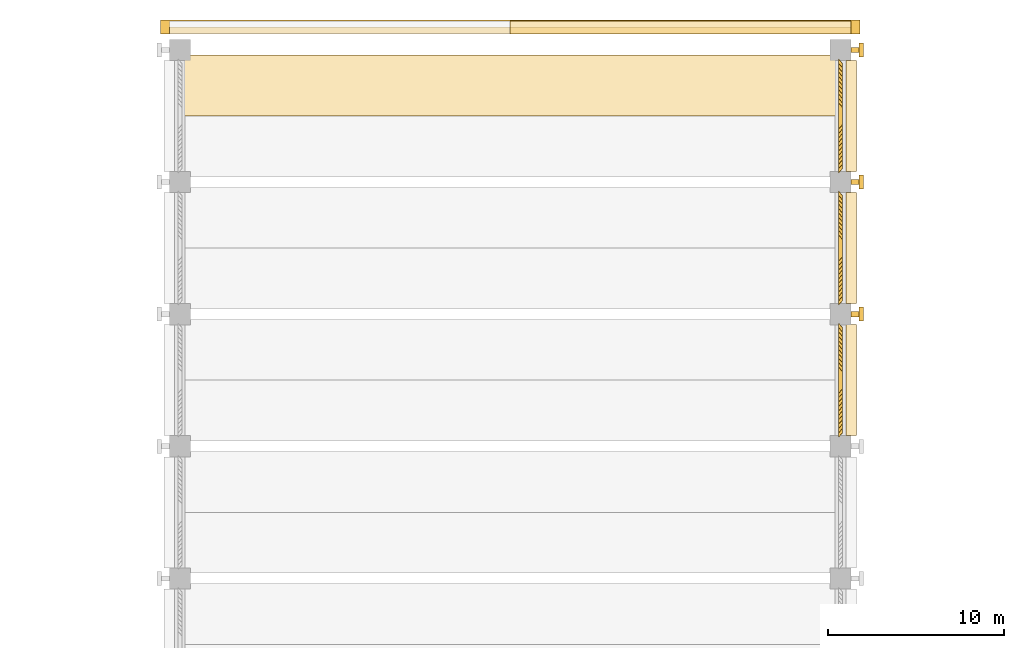
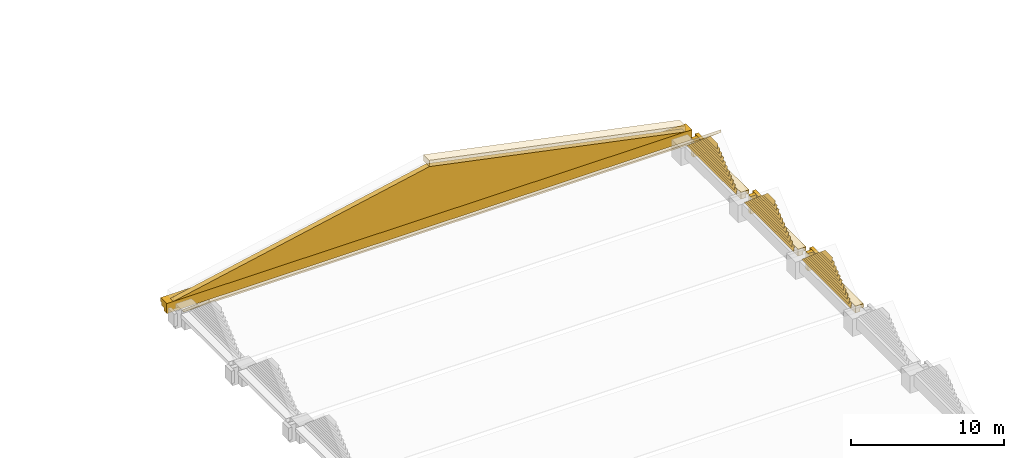
# One storey, part 57 of 71: 33 shading devices, 13 coverings, 1 element without a shape of its own.
"""IFC4 building model written with IfcOpenShell, lengths in metres."""

from ifc_helpers import new_model, si_unit, direction, frame, origin, place, context, subcontext, project, spatial, polyline, outline, extrude, material, layer, layer_set, material_profile, profile_set, type_object, element, aggregate, save


model = new_model("IFC4")

# Units and contexts
model_context = context("Model", 3, precision=1e-05, world=origin(), true_north=direction((0.0, 1.0)))
body_context = subcontext(model_context, "Body", "Model", "MODEL_VIEW")
ifc_project = project(units=[si_unit("LENGTHUNIT", "METRE"), si_unit("AREAUNIT", "SQUARE_METRE"), si_unit("VOLUMEUNIT", "CUBIC_METRE"), si_unit("PLANEANGLEUNIT", "RADIAN"), si_unit("MASSUNIT", "GRAM", prefix="KILO")], contexts=[model_context])

# Site, building, storey
site_placement = place(None, origin())
site = spatial("IfcSite", under=ifc_project, at=site_placement, CompositionType="ELEMENT")
building_placement = place(site_placement, origin())
building = spatial("IfcBuilding", under=site, at=building_placement, Name="Cour d'Honneur Mobility Palace", CompositionType="ELEMENT")
storey_placement = place(building_placement, frame((0.0, 0.0, 15.60009765625)))
storey = spatial("IfcBuildingStorey", under=building, at=storey_placement, Name="L04", CompositionType="ELEMENT", Elevation=15.60009765625)

# Roof, covering
ifc_material_1 = material(Name="Concrete C50", Category="concrete")
ifc_layer_1 = layer(ifc_material_1, 0.179931640625)
ifc_layer_set_1 = layer_set([ifc_layer_1], Name="Concrete C50")
roof_type = type_object("IfcRoofType", Name="Folded plate roof", PredefinedType="FREEFORM", material=ifc_layer_set_1)
roof_placement = place(storey_placement, origin())
roof = element("IfcRoof", 1, at=roof_placement, inside=storey, type_object=roof_type, Name="Folded unit FU7", PredefinedType="FREEFORM")
ifc_material_2 = material(Name="Concrete C50", Category="concrete")
ifc_material_profile = material_profile(ifc_material_2, outline(polyline([(3.449951171875, 0.0), (3.25, 0.0), (0.0, 2.763671875), (0.0, 3.0), (3.449951171875, 0.066162109375), (3.449951171875, 0.0)])), Name="Folded roof plate 7500 mm bay falling")
ifc_profile_set = profile_set([ifc_material_profile], Name="Concrete C50")
covering_type_1 = type_object("IfcCoveringType", Name="Folded roof plate 7500 mm bay falling", PredefinedType="ROOFING", material=ifc_profile_set)
covering_1_placement = place(storey_placement, frame((61.800048828125, 111.14990234375, 1.39990234375), z_axis=(1.0, 0.0, 0.0), x_axis=(0.0, 1.0, 0.0)))
covering_1 = element("IfcCovering", 2, at=covering_1_placement, type_object=covering_type_1, Name="Folded roof plate FP14", PredefinedType="ROOFING", context=body_context, shape_type="SweptSolid", body=[
    extrude(outline(polyline([(3.449951171875, 0.0), (3.25, 0.0), (0.0, 2.763671875), (0.0, 3.0), (3.449951171875, 0.066162109375), (3.449951171875, 0.0)])), origin(), (0.0, 0.0, 1.0), 38.699951171875),
])
aggregate(roof, [covering_1])

# Coverings
ifc_material_3 = material(Name="Cast limestone", Category="masonry")
ifc_layer_2 = layer(ifc_material_3, 0.39990234375)
ifc_layer_set_2 = layer_set([ifc_layer_2], Name="Cast limestone")
covering_type_2 = type_object("IfcCoveringType", Name="Hall eave cornice", PredefinedType="CLADDING", material=ifc_layer_set_2)
for number, where, z_axis, x_axis, name in (
    (3, (100.199951171875, 93.0, 0.849853515625), (0.0, -1.0, 0.0), (1.0, 0.0, 0.0), "Hall eave cornice EB-E5"),
    (4, (100.199951171875, 100.5, 0.849853515625), (0.0, -1.0, 0.0), (1.0, 0.0, 0.0), "Hall eave cornice EB-E6"),
    (5, (100.199951171875, 108.0, 0.849853515625), (0.0, -1.0, 0.0), (1.0, 0.0, 0.0), "Hall eave cornice EB-E7"),
):
    element("IfcCovering", number, at=place(storey_placement, frame(where, z_axis=z_axis, x_axis=x_axis)), inside=storey, type_object=covering_type_2, Name=name, PredefinedType="CLADDING", context=body_context, shape_type="SweptSolid", body=[
        extrude(outline(polyline([(0.0, 0.0), (0.35009765625, 0.0), (0.35009765625, 0.25), (0.60009765625, 0.25), (0.60009765625, 0.550048828125), (0.0, 0.550048828125), (0.0, 0.0)])), origin(), (0.0, 0.0, -1.0), 6.300048828125),
    ])
ifc_material_4 = material(Name="Cast limestone", Category="masonry")
ifc_layer_3 = layer(ifc_material_4, 0.39990234375)
ifc_layer_set_3 = layer_set([ifc_layer_3], Name="Cast limestone")
covering_type_3 = type_object("IfcCoveringType", Name="Pediment raking cornice", PredefinedType="CLADDING", material=ifc_layer_set_3)
covering_2_placement = place(storey_placement, frame((100.5, 116.550048828125, 1.39990234375), z_axis=(0.0, 1.0, 0.0), x_axis=(-0.979295232307, 0.0, 0.202437269249)))
element("IfcCovering", 6, at=covering_2_placement, inside=storey, type_object=covering_type_3, Name="Pediment raking cornice E", PredefinedType="CLADDING", context=body_context, shape_type="SweptSolid", body=[
    extrude(outline(polyline([(0.0, 0.0), (19.759207456434375, 0.0), (19.86042609105875, 0.4896476161534724), (0.10121863462437213, 0.489647616153472), (0.0, 0.0)])), origin(), (0.0, 0.0, -1.0), 0.75),
])
ifc_material_5 = material(Name="Cast limestone", Category="masonry")
ifc_layer_4 = layer(ifc_material_5, 0.39990234375)
ifc_layer_set_4 = layer_set([ifc_layer_4], Name="Cast limestone")
covering_type_4 = type_object("IfcCoveringType", Name="Pediment tympanum", PredefinedType="CLADDING", material=ifc_layer_set_4)
covering_3_placement = place(storey_placement, frame((61.800048828125, 116.199951171875, 1.39990234375), z_axis=(0.0, 1.0, 0.0), x_axis=(0.979294725947, 0.0, 0.202439718762)))
element("IfcCovering", 7, at=covering_3_placement, inside=storey, type_object=covering_type_4, Name="Pediment tympanum", PredefinedType="CLADDING", context=body_context, shape_type="SweptSolid", body=[
    extrude(outline(polyline([(0.0, 0.0), (19.758968370746107, 0.0), (37.898658077023114, 7.83440723133536), (0.0, 0.0)])), origin(), (0.0, 0.0, -1.0), 0.39990234375),
])
ifc_material_6 = material(Name="Cast limestone", Category="masonry")
ifc_layer_5 = layer(ifc_material_6, 0.300048828125)
ifc_layer_set_5 = layer_set([ifc_layer_5], Name="Cast limestone")
covering_type_5 = type_object("IfcCoveringType", Name="Pier fin", PredefinedType="CLADDING", material=ifc_layer_set_5)
covering_4_placement = place(storey_placement, origin())
element("IfcCovering", 8, at=covering_4_placement, inside=storey, type_object=covering_type_5, Name="Pier fin HP-E6 L04", PredefinedType="CLADDING", context=body_context, shape_type="SweptSolid", body=[
    extrude(outline(polyline([(100.5, 99.75), (100.949951171875, 99.75), (100.949951171875, 100.050048828125), (100.5, 100.050048828125), (100.5, 99.75)])), origin(), (0.0, 0.0, 1.0), 1.39990234375),
])
covering_5_placement = place(storey_placement, origin())
element("IfcCovering", 9, at=covering_5_placement, inside=storey, type_object=covering_type_5, Name="Pier fin HP-E7 L04", PredefinedType="CLADDING", context=body_context, shape_type="SweptSolid", body=[
    extrude(outline(polyline([(100.5, 107.25), (100.949951171875, 107.25), (100.949951171875, 107.550048828125), (100.5, 107.550048828125), (100.5, 107.25)])), origin(), (0.0, 0.0, 1.0), 1.39990234375),
])
covering_6_placement = place(storey_placement, origin())
element("IfcCovering", 10, at=covering_6_placement, inside=storey, type_object=covering_type_5, Name="Pier fin HP-E8 L04", PredefinedType="CLADDING", context=body_context, shape_type="SweptSolid", body=[
    extrude(outline(polyline([(100.5, 114.75), (100.949951171875, 114.75), (100.949951171875, 115.050048828125), (100.5, 115.050048828125), (100.5, 114.75)])), origin(), (0.0, 0.0, 1.0), 1.39990234375),
])
ifc_material_7 = material(Name="Cast limestone", Category="masonry")
ifc_layer_6 = layer(ifc_material_7, 0.1201171875)
ifc_layer_set_6 = layer_set([ifc_layer_6], Name="Cast limestone")
covering_type_6 = type_object("IfcCoveringType", Name="Pilaster capital", PredefinedType="CLADDING", material=ifc_layer_set_6)
covering_7_placement = place(storey_placement, frame((0.0, 0.0, 0.39990234375)))
element("IfcCovering", 11, at=covering_7_placement, inside=storey, type_object=covering_type_6, Name="Hall pilaster capital HP-E6", PredefinedType="CLADDING", context=body_context, shape_type="SweptSolid", body=[
    extrude(outline(polyline([(100.949951171875, 99.5), (101.199951171875, 99.5), (101.199951171875, 100.300048828125), (100.949951171875, 100.300048828125), (100.949951171875, 99.5)])), origin(), (0.0, 0.0, 1.0), 1.0),
])
covering_8_placement = place(storey_placement, frame((0.0, 0.0, 0.39990234375)))
element("IfcCovering", 12, at=covering_8_placement, inside=storey, type_object=covering_type_6, Name="Hall pilaster capital HP-E7", PredefinedType="CLADDING", context=body_context, shape_type="SweptSolid", body=[
    extrude(outline(polyline([(100.949951171875, 107.0), (101.199951171875, 107.0), (101.199951171875, 107.800048828125), (100.949951171875, 107.800048828125), (100.949951171875, 107.0)])), origin(), (0.0, 0.0, 1.0), 1.0),
])
covering_9_placement = place(storey_placement, frame((0.0, 0.0, 0.39990234375)))
element("IfcCovering", 13, at=covering_9_placement, inside=storey, type_object=covering_type_6, Name="Hall pilaster capital HP-E8", PredefinedType="CLADDING", context=body_context, shape_type="SweptSolid", body=[
    extrude(outline(polyline([(100.949951171875, 114.5), (101.199951171875, 114.5), (101.199951171875, 115.300048828125), (100.949951171875, 115.300048828125), (100.949951171875, 114.5)])), origin(), (0.0, 0.0, 1.0), 1.0),
])
ifc_material_8 = material(Name="Cast limestone", Category="masonry")
ifc_layer_7 = layer(ifc_material_8, 0.39990234375)
ifc_layer_set_7 = layer_set([ifc_layer_7], Name="Cast limestone")
covering_type_7 = type_object("IfcCoveringType", Name="Portal cornice", PredefinedType="CLADDING", material=ifc_layer_set_7)
covering_10_placement = place(storey_placement, frame((61.300048828125, 115.800048828125, 1.39990234375), z_axis=(-1.0, 0.0, 0.0), x_axis=(0.0, 1.0, 0.0)))
element("IfcCovering", 14, at=covering_10_placement, inside=storey, type_object=covering_type_7, Name="Portal cornice", PredefinedType="CLADDING", context=body_context, shape_type="SweptSolid", body=[
    extrude(outline(polyline([(0.0, 0.0), (0.800048828125, 0.0), (0.800048828125, 0.300048828125), (0.64990234375, 0.300048828125), (0.64990234375, 0.550048828125), (0.349853515625, 0.550048828125), (0.349853515625, 0.800048828125), (0.0, 0.800048828125), (0.0, 0.0)])), origin(), (0.0, 0.0, -1.0), 39.699951171875),
])

# Shading devices
ifc_material_9 = material(Name="Terracotta", Category="masonry")
ifc_layer_8 = layer(ifc_material_9, 0.02490234375)
ifc_layer_set_8 = layer_set([ifc_layer_8], Name="Terracotta")
shading_device_type = type_object("IfcShadingDeviceType", Name="Terracotta louvre blade", PredefinedType="JALOUSIE", material=ifc_layer_set_8)
shading_device_1_placement = place(storey_placement, frame((99.7939453125, 92.9208984375, 1.41748046875), z_axis=(-0.707106781187, 0.0, 0.707106781187), x_axis=(0.0, 1.0, 0.0)))
element("IfcShadingDevice", 15, at=shading_device_1_placement, inside=storey, type_object=shading_device_type, Name="Gable louvre blade LV-3 E5 1", PredefinedType="JALOUSIE", context=body_context, shape_type="SweptSolid", body=[
    extrude(outline(polyline([(0.0, 0.0), (6.458251953125, 0.0), (6.208984375, -0.300037008228081), (0.249267578125, -0.300037008228081), (0.0, 0.0)])), origin(), (0.0, 0.0, -1.0), 0.02490234375),
])
shading_device_2_placement = place(storey_placement, frame((99.7939453125, 93.170166015625, 1.629638671875), z_axis=(-0.707106781187, 0.0, 0.707106781187), x_axis=(0.0, 1.0, 0.0)))
element("IfcShadingDevice", 16, at=shading_device_2_placement, inside=storey, type_object=shading_device_type, Name="Gable louvre blade LV-3 E5 2", PredefinedType="JALOUSIE", context=body_context, shape_type="SweptSolid", body=[
    extrude(outline(polyline([(0.0, 0.0), (5.959716796875, 0.0), (5.710205078125, -0.30003700822808094), (0.24951171875, -0.30003700822808094), (0.0, 0.0)])), origin(), (0.0, 0.0, -1.0), 0.02490234375),
])
shading_device_3_placement = place(storey_placement, frame((99.7939453125, 93.419677734375, 1.841796875), z_axis=(-0.707106781187, 0.0, 0.707106781187), x_axis=(0.0, 1.0, 0.0)))
element("IfcShadingDevice", 17, at=shading_device_3_placement, inside=storey, type_object=shading_device_type, Name="Gable louvre blade LV-3 E5 3", PredefinedType="JALOUSIE", context=body_context, shape_type="SweptSolid", body=[
    extrude(outline(polyline([(0.0, 0.0), (5.460693359375, 0.0), (5.211181640625, -0.300037008228081), (0.24951171875, -0.300037008228081), (0.0, 0.0)])), origin(), (0.0, 0.0, -1.0), 0.02490234375),
])
shading_device_4_placement = place(storey_placement, frame((99.7939453125, 93.669189453125, 2.053955078125), z_axis=(-0.707106781187, 0.0, 0.707106781187), x_axis=(0.0, 1.0, 0.0)))
element("IfcShadingDevice", 18, at=shading_device_4_placement, inside=storey, type_object=shading_device_type, Name="Gable louvre blade LV-3 E5 4", PredefinedType="JALOUSIE", context=body_context, shape_type="SweptSolid", body=[
    extrude(outline(polyline([(0.0, 0.0), (4.961669921875, 0.0), (4.712158203125, -0.300037008228081), (0.24951171875, -0.300037008228081), (0.0, 0.0)])), origin(), (0.0, 0.0, -1.0), 0.02490234375),
])
shading_device_5_placement = place(storey_placement, frame((99.7939453125, 93.918701171875, 2.26611328125), z_axis=(-0.707106781187, 0.0, 0.707106781187), x_axis=(0.0, 1.0, 0.0)))
element("IfcShadingDevice", 19, at=shading_device_5_placement, inside=storey, type_object=shading_device_type, Name="Gable louvre blade LV-3 E5 5", PredefinedType="JALOUSIE", context=body_context, shape_type="SweptSolid", body=[
    extrude(outline(polyline([(0.0, 0.0), (4.462646484375, 0.0), (4.213134765625, -0.30003700822808094), (0.24951171875, -0.30003700822808094), (0.0, 0.0)])), origin(), (0.0, 0.0, -1.0), 0.02490234375),
])
shading_device_6_placement = place(storey_placement, frame((99.7939453125, 94.168212890625, 2.478271484375), z_axis=(-0.707106781187, 0.0, 0.707106781187), x_axis=(0.0, 1.0, 0.0)))
element("IfcShadingDevice", 20, at=shading_device_6_placement, inside=storey, type_object=shading_device_type, Name="Gable louvre blade LV-3 E5 6", PredefinedType="JALOUSIE", context=body_context, shape_type="SweptSolid", body=[
    extrude(outline(polyline([(0.0, 0.0), (3.963623046875, 0.0), (3.71435546875, -0.300037008228081), (0.249267578125, -0.300037008228081), (0.0, 0.0)])), origin(), (0.0, 0.0, -1.0), 0.02490234375),
])
shading_device_7_placement = place(storey_placement, frame((99.7939453125, 94.41748046875, 2.6904296875), z_axis=(-0.707106781187, 0.0, 0.707106781187), x_axis=(0.0, 1.0, 0.0)))
element("IfcShadingDevice", 21, at=shading_device_7_placement, inside=storey, type_object=shading_device_type, Name="Gable louvre blade LV-3 E5 7", PredefinedType="JALOUSIE", context=body_context, shape_type="SweptSolid", body=[
    extrude(outline(polyline([(0.0, 0.0), (3.465087890625, 0.0), (3.215576171875, -0.30003700822808094), (0.24951171875, -0.30003700822808094), (0.0, 0.0)])), origin(), (0.0, 0.0, -1.0), 0.02490234375),
])
shading_device_8_placement = place(storey_placement, frame((99.7939453125, 94.6669921875, 2.902587890625), z_axis=(-0.706699578995, 0.0, 0.707513749017), x_axis=(0.0, 1.0, 0.0)))
element("IfcShadingDevice", 22, at=shading_device_8_placement, inside=storey, type_object=shading_device_type, Name="Gable louvre blade LV-3 E5 8", PredefinedType="JALOUSIE", context=body_context, shape_type="SweptSolid", body=[
    extrude(outline(polyline([(0.0, 0.0), (2.966064453125, 0.0), (2.716552734375, -0.29986442442957895), (0.24951171875, -0.29986442442957895), (0.0, 0.0)])), origin(), (0.0, 0.0, -1.0), 0.02490234375),
])
shading_device_9_placement = place(storey_placement, frame((99.7939453125, 94.91650390625, 3.114501953125), z_axis=(-0.707513281104, 0.0, 0.706700047447), x_axis=(0.0, 1.0, 0.0)))
element("IfcShadingDevice", 23, at=shading_device_9_placement, inside=storey, type_object=shading_device_type, Name="Gable louvre blade LV-3 E5 9", PredefinedType="JALOUSIE", context=body_context, shape_type="SweptSolid", body=[
    extrude(outline(polyline([(0.0, 0.0), (2.467041015625, 0.0), (2.217529296875, -0.30020969135542896), (0.24951171875, -0.30020969135542896), (0.0, 0.0)])), origin(), (0.0, 0.0, -1.0), 0.02490234375),
])
shading_device_10_placement = place(storey_placement, frame((99.7939453125, 95.166015625, 3.326904296875), z_axis=(-0.706699578995, 0.0, 0.707513749017), x_axis=(0.0, 1.0, 0.0)))
element("IfcShadingDevice", 24, at=shading_device_10_placement, inside=storey, type_object=shading_device_type, Name="Gable louvre blade LV-3 E5 10", PredefinedType="JALOUSIE", context=body_context, shape_type="SweptSolid", body=[
    extrude(outline(polyline([(0.0, 0.0), (1.968017578125, 0.0), (1.718505859375, -0.29986442442957895), (0.249267578125, -0.29986442442957895), (0.0, 0.0)])), origin(), (0.0, 0.0, -1.0), 0.02490234375),
])
shading_device_11_placement = place(storey_placement, frame((99.7939453125, 95.415283203125, 3.538818359375), z_axis=(-0.707106781187, 0.0, 0.707106781187), x_axis=(0.0, 1.0, 0.0)))
element("IfcShadingDevice", 25, at=shading_device_11_placement, inside=storey, type_object=shading_device_type, Name="Gable louvre blade LV-3 E5 11", PredefinedType="JALOUSIE", context=body_context, shape_type="SweptSolid", body=[
    extrude(outline(polyline([(0.0, 0.0), (1.46923828125, 0.0), (1.219970703125, -0.300037008228081), (0.24951171875, -0.300037008228081), (0.0, 0.0)])), origin(), (0.0, 0.0, -1.0), 0.02490234375),
])
shading_device_12_placement = place(storey_placement, frame((99.7939453125, 100.4208984375, 1.41748046875), z_axis=(-0.707106781187, 0.0, 0.707106781187), x_axis=(0.0, 1.0, 0.0)))
element("IfcShadingDevice", 26, at=shading_device_12_placement, inside=storey, type_object=shading_device_type, Name="Gable louvre blade LV-3 E6 1", PredefinedType="JALOUSIE", context=body_context, shape_type="SweptSolid", body=[
    extrude(outline(polyline([(0.0, 0.0), (6.458251953125, 0.0), (6.208984375, -0.300037008228081), (0.249267578125, -0.300037008228081), (0.0, 0.0)])), origin(), (0.0, 0.0, -1.0), 0.02490234375),
])
shading_device_13_placement = place(storey_placement, frame((99.7939453125, 100.670166015625, 1.629638671875), z_axis=(-0.707106781187, 0.0, 0.707106781187), x_axis=(0.0, 1.0, 0.0)))
element("IfcShadingDevice", 27, at=shading_device_13_placement, inside=storey, type_object=shading_device_type, Name="Gable louvre blade LV-3 E6 2", PredefinedType="JALOUSIE", context=body_context, shape_type="SweptSolid", body=[
    extrude(outline(polyline([(0.0, 0.0), (5.959716796875, 0.0), (5.710205078125, -0.30003700822808094), (0.24951171875, -0.30003700822808094), (0.0, 0.0)])), origin(), (0.0, 0.0, -1.0), 0.02490234375),
])
shading_device_14_placement = place(storey_placement, frame((99.7939453125, 100.919677734375, 1.841796875), z_axis=(-0.707106781187, 0.0, 0.707106781187), x_axis=(0.0, 1.0, 0.0)))
element("IfcShadingDevice", 28, at=shading_device_14_placement, inside=storey, type_object=shading_device_type, Name="Gable louvre blade LV-3 E6 3", PredefinedType="JALOUSIE", context=body_context, shape_type="SweptSolid", body=[
    extrude(outline(polyline([(0.0, 0.0), (5.460693359375, 0.0), (5.211181640625, -0.300037008228081), (0.24951171875, -0.300037008228081), (0.0, 0.0)])), origin(), (0.0, 0.0, -1.0), 0.02490234375),
])
shading_device_15_placement = place(storey_placement, frame((99.7939453125, 101.169189453125, 2.053955078125), z_axis=(-0.707106781187, 0.0, 0.707106781187), x_axis=(0.0, 1.0, 0.0)))
element("IfcShadingDevice", 29, at=shading_device_15_placement, inside=storey, type_object=shading_device_type, Name="Gable louvre blade LV-3 E6 4", PredefinedType="JALOUSIE", context=body_context, shape_type="SweptSolid", body=[
    extrude(outline(polyline([(0.0, 0.0), (4.961669921875, 0.0), (4.712158203125, -0.300037008228081), (0.24951171875, -0.300037008228081), (0.0, 0.0)])), origin(), (0.0, 0.0, -1.0), 0.02490234375),
])
shading_device_16_placement = place(storey_placement, frame((99.7939453125, 101.418701171875, 2.26611328125), z_axis=(-0.707106781187, 0.0, 0.707106781187), x_axis=(0.0, 1.0, 0.0)))
element("IfcShadingDevice", 30, at=shading_device_16_placement, inside=storey, type_object=shading_device_type, Name="Gable louvre blade LV-3 E6 5", PredefinedType="JALOUSIE", context=body_context, shape_type="SweptSolid", body=[
    extrude(outline(polyline([(0.0, 0.0), (4.462646484375, 0.0), (4.213134765625, -0.30003700822808094), (0.24951171875, -0.30003700822808094), (0.0, 0.0)])), origin(), (0.0, 0.0, -1.0), 0.02490234375),
])
shading_device_17_placement = place(storey_placement, frame((99.7939453125, 101.668212890625, 2.478271484375), z_axis=(-0.707106781187, 0.0, 0.707106781187), x_axis=(0.0, 1.0, 0.0)))
element("IfcShadingDevice", 31, at=shading_device_17_placement, inside=storey, type_object=shading_device_type, Name="Gable louvre blade LV-3 E6 6", PredefinedType="JALOUSIE", context=body_context, shape_type="SweptSolid", body=[
    extrude(outline(polyline([(0.0, 0.0), (3.963623046875, 0.0), (3.71435546875, -0.300037008228081), (0.249267578125, -0.300037008228081), (0.0, 0.0)])), origin(), (0.0, 0.0, -1.0), 0.02490234375),
])
shading_device_18_placement = place(storey_placement, frame((99.7939453125, 101.91748046875, 2.6904296875), z_axis=(-0.707106781187, 0.0, 0.707106781187), x_axis=(0.0, 1.0, 0.0)))
element("IfcShadingDevice", 32, at=shading_device_18_placement, inside=storey, type_object=shading_device_type, Name="Gable louvre blade LV-3 E6 7", PredefinedType="JALOUSIE", context=body_context, shape_type="SweptSolid", body=[
    extrude(outline(polyline([(0.0, 0.0), (3.465087890625, 0.0), (3.215576171875, -0.30003700822808094), (0.24951171875, -0.30003700822808094), (0.0, 0.0)])), origin(), (0.0, 0.0, -1.0), 0.02490234375),
])
shading_device_19_placement = place(storey_placement, frame((99.7939453125, 102.1669921875, 2.902587890625), z_axis=(-0.706699578995, 0.0, 0.707513749017), x_axis=(0.0, 1.0, 0.0)))
element("IfcShadingDevice", 33, at=shading_device_19_placement, inside=storey, type_object=shading_device_type, Name="Gable louvre blade LV-3 E6 8", PredefinedType="JALOUSIE", context=body_context, shape_type="SweptSolid", body=[
    extrude(outline(polyline([(0.0, 0.0), (2.966064453125, 0.0), (2.716552734375, -0.29986442442957895), (0.24951171875, -0.29986442442957895), (0.0, 0.0)])), origin(), (0.0, 0.0, -1.0), 0.02490234375),
])
shading_device_20_placement = place(storey_placement, frame((99.7939453125, 102.41650390625, 3.114501953125), z_axis=(-0.707513281104, 0.0, 0.706700047447), x_axis=(0.0, 1.0, 0.0)))
element("IfcShadingDevice", 34, at=shading_device_20_placement, inside=storey, type_object=shading_device_type, Name="Gable louvre blade LV-3 E6 9", PredefinedType="JALOUSIE", context=body_context, shape_type="SweptSolid", body=[
    extrude(outline(polyline([(0.0, 0.0), (2.467041015625, 0.0), (2.217529296875, -0.30020969135542896), (0.24951171875, -0.30020969135542896), (0.0, 0.0)])), origin(), (0.0, 0.0, -1.0), 0.02490234375),
])
shading_device_21_placement = place(storey_placement, frame((99.7939453125, 102.666015625, 3.326904296875), z_axis=(-0.706699578995, 0.0, 0.707513749017), x_axis=(0.0, 1.0, 0.0)))
element("IfcShadingDevice", 35, at=shading_device_21_placement, inside=storey, type_object=shading_device_type, Name="Gable louvre blade LV-3 E6 10", PredefinedType="JALOUSIE", context=body_context, shape_type="SweptSolid", body=[
    extrude(outline(polyline([(0.0, 0.0), (1.968017578125, 0.0), (1.718505859375, -0.29986442442957895), (0.249267578125, -0.29986442442957895), (0.0, 0.0)])), origin(), (0.0, 0.0, -1.0), 0.02490234375),
])
shading_device_22_placement = place(storey_placement, frame((99.7939453125, 102.915283203125, 3.538818359375), z_axis=(-0.707106781187, 0.0, 0.707106781187), x_axis=(0.0, 1.0, 0.0)))
element("IfcShadingDevice", 36, at=shading_device_22_placement, inside=storey, type_object=shading_device_type, Name="Gable louvre blade LV-3 E6 11", PredefinedType="JALOUSIE", context=body_context, shape_type="SweptSolid", body=[
    extrude(outline(polyline([(0.0, 0.0), (1.46923828125, 0.0), (1.219970703125, -0.300037008228081), (0.24951171875, -0.300037008228081), (0.0, 0.0)])), origin(), (0.0, 0.0, -1.0), 0.02490234375),
])
shading_device_23_placement = place(storey_placement, frame((99.7939453125, 107.9208984375, 1.41748046875), z_axis=(-0.707106781187, 0.0, 0.707106781187), x_axis=(0.0, 1.0, 0.0)))
element("IfcShadingDevice", 37, at=shading_device_23_placement, inside=storey, type_object=shading_device_type, Name="Gable louvre blade LV-3 E7 1", PredefinedType="JALOUSIE", context=body_context, shape_type="SweptSolid", body=[
    extrude(outline(polyline([(0.0, 0.0), (6.458251953125, 0.0), (6.208984375, -0.300037008228081), (0.249267578125, -0.300037008228081), (0.0, 0.0)])), origin(), (0.0, 0.0, -1.0), 0.02490234375),
])
shading_device_24_placement = place(storey_placement, frame((99.7939453125, 108.170166015625, 1.629638671875), z_axis=(-0.707106781187, 0.0, 0.707106781187), x_axis=(0.0, 1.0, 0.0)))
element("IfcShadingDevice", 38, at=shading_device_24_placement, inside=storey, type_object=shading_device_type, Name="Gable louvre blade LV-3 E7 2", PredefinedType="JALOUSIE", context=body_context, shape_type="SweptSolid", body=[
    extrude(outline(polyline([(0.0, 0.0), (5.959716796875, 0.0), (5.710205078125, -0.30003700822808094), (0.24951171875, -0.30003700822808094), (0.0, 0.0)])), origin(), (0.0, 0.0, -1.0), 0.02490234375),
])
shading_device_25_placement = place(storey_placement, frame((99.7939453125, 108.419677734375, 1.841796875), z_axis=(-0.707106781187, 0.0, 0.707106781187), x_axis=(0.0, 1.0, 0.0)))
element("IfcShadingDevice", 39, at=shading_device_25_placement, inside=storey, type_object=shading_device_type, Name="Gable louvre blade LV-3 E7 3", PredefinedType="JALOUSIE", context=body_context, shape_type="SweptSolid", body=[
    extrude(outline(polyline([(0.0, 0.0), (5.460693359375, 0.0), (5.211181640625, -0.300037008228081), (0.24951171875, -0.300037008228081), (0.0, 0.0)])), origin(), (0.0, 0.0, -1.0), 0.02490234375),
])
shading_device_26_placement = place(storey_placement, frame((99.7939453125, 108.669189453125, 2.053955078125), z_axis=(-0.707106781187, 0.0, 0.707106781187), x_axis=(0.0, 1.0, 0.0)))
element("IfcShadingDevice", 40, at=shading_device_26_placement, inside=storey, type_object=shading_device_type, Name="Gable louvre blade LV-3 E7 4", PredefinedType="JALOUSIE", context=body_context, shape_type="SweptSolid", body=[
    extrude(outline(polyline([(0.0, 0.0), (4.961669921875, 0.0), (4.712158203125, -0.300037008228081), (0.24951171875, -0.300037008228081), (0.0, 0.0)])), origin(), (0.0, 0.0, -1.0), 0.02490234375),
])
shading_device_27_placement = place(storey_placement, frame((99.7939453125, 108.918701171875, 2.26611328125), z_axis=(-0.707106781187, 0.0, 0.707106781187), x_axis=(0.0, 1.0, 0.0)))
element("IfcShadingDevice", 41, at=shading_device_27_placement, inside=storey, type_object=shading_device_type, Name="Gable louvre blade LV-3 E7 5", PredefinedType="JALOUSIE", context=body_context, shape_type="SweptSolid", body=[
    extrude(outline(polyline([(0.0, 0.0), (4.462646484375, 0.0), (4.213134765625, -0.30003700822808094), (0.24951171875, -0.30003700822808094), (0.0, 0.0)])), origin(), (0.0, 0.0, -1.0), 0.02490234375),
])
shading_device_28_placement = place(storey_placement, frame((99.7939453125, 109.168212890625, 2.478271484375), z_axis=(-0.707106781187, 0.0, 0.707106781187), x_axis=(0.0, 1.0, 0.0)))
element("IfcShadingDevice", 42, at=shading_device_28_placement, inside=storey, type_object=shading_device_type, Name="Gable louvre blade LV-3 E7 6", PredefinedType="JALOUSIE", context=body_context, shape_type="SweptSolid", body=[
    extrude(outline(polyline([(0.0, 0.0), (3.963623046875, 0.0), (3.71435546875, -0.300037008228081), (0.249267578125, -0.300037008228081), (0.0, 0.0)])), origin(), (0.0, 0.0, -1.0), 0.02490234375),
])
shading_device_29_placement = place(storey_placement, frame((99.7939453125, 109.41748046875, 2.6904296875), z_axis=(-0.707106781187, 0.0, 0.707106781187), x_axis=(0.0, 1.0, 0.0)))
element("IfcShadingDevice", 43, at=shading_device_29_placement, inside=storey, type_object=shading_device_type, Name="Gable louvre blade LV-3 E7 7", PredefinedType="JALOUSIE", context=body_context, shape_type="SweptSolid", body=[
    extrude(outline(polyline([(0.0, 0.0), (3.465087890625, 0.0), (3.215576171875, -0.30003700822808094), (0.24951171875, -0.30003700822808094), (0.0, 0.0)])), origin(), (0.0, 0.0, -1.0), 0.02490234375),
])
shading_device_30_placement = place(storey_placement, frame((99.7939453125, 109.6669921875, 2.902587890625), z_axis=(-0.706699578995, 0.0, 0.707513749017), x_axis=(0.0, 1.0, 0.0)))
element("IfcShadingDevice", 44, at=shading_device_30_placement, inside=storey, type_object=shading_device_type, Name="Gable louvre blade LV-3 E7 8", PredefinedType="JALOUSIE", context=body_context, shape_type="SweptSolid", body=[
    extrude(outline(polyline([(0.0, 0.0), (2.966064453125, 0.0), (2.716552734375, -0.29986442442957895), (0.24951171875, -0.29986442442957895), (0.0, 0.0)])), origin(), (0.0, 0.0, -1.0), 0.02490234375),
])
shading_device_31_placement = place(storey_placement, frame((99.7939453125, 109.91650390625, 3.114501953125), z_axis=(-0.707513281104, 0.0, 0.706700047447), x_axis=(0.0, 1.0, 0.0)))
element("IfcShadingDevice", 45, at=shading_device_31_placement, inside=storey, type_object=shading_device_type, Name="Gable louvre blade LV-3 E7 9", PredefinedType="JALOUSIE", context=body_context, shape_type="SweptSolid", body=[
    extrude(outline(polyline([(0.0, 0.0), (2.467041015625, 0.0), (2.217529296875, -0.30020969135542896), (0.24951171875, -0.30020969135542896), (0.0, 0.0)])), origin(), (0.0, 0.0, -1.0), 0.02490234375),
])
shading_device_32_placement = place(storey_placement, frame((99.7939453125, 110.166015625, 3.326904296875), z_axis=(-0.706699578995, 0.0, 0.707513749017), x_axis=(0.0, 1.0, 0.0)))
element("IfcShadingDevice", 46, at=shading_device_32_placement, inside=storey, type_object=shading_device_type, Name="Gable louvre blade LV-3 E7 10", PredefinedType="JALOUSIE", context=body_context, shape_type="SweptSolid", body=[
    extrude(outline(polyline([(0.0, 0.0), (1.968017578125, 0.0), (1.718505859375, -0.29986442442957895), (0.249267578125, -0.29986442442957895), (0.0, 0.0)])), origin(), (0.0, 0.0, -1.0), 0.02490234375),
])
shading_device_33_placement = place(storey_placement, frame((99.7939453125, 110.415283203125, 3.538818359375), z_axis=(-0.707106781187, 0.0, 0.707106781187), x_axis=(0.0, 1.0, 0.0)))
element("IfcShadingDevice", 47, at=shading_device_33_placement, inside=storey, type_object=shading_device_type, Name="Gable louvre blade LV-3 E7 11", PredefinedType="JALOUSIE", context=body_context, shape_type="SweptSolid", body=[
    extrude(outline(polyline([(0.0, 0.0), (1.46923828125, 0.0), (1.219970703125, -0.300037008228081), (0.24951171875, -0.300037008228081), (0.0, 0.0)])), origin(), (0.0, 0.0, -1.0), 0.02490234375),
])

save(model, "model.ifc")
